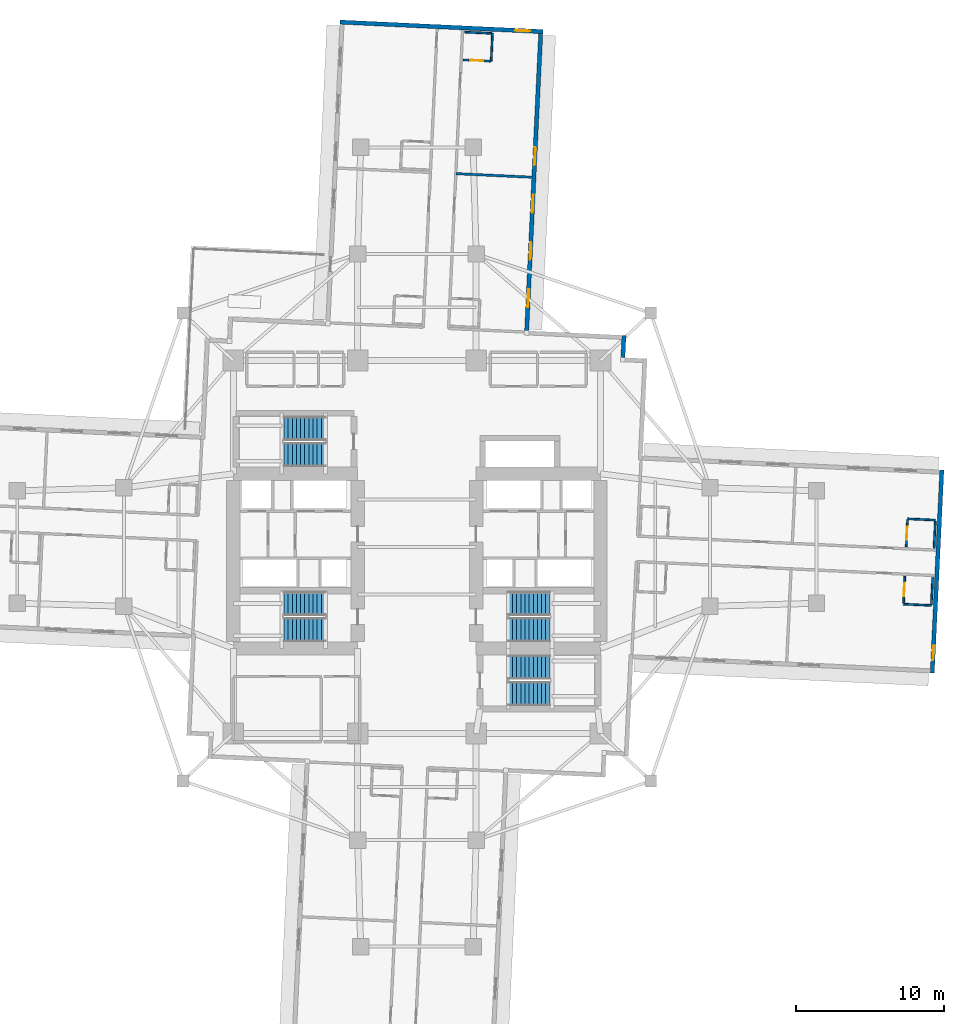
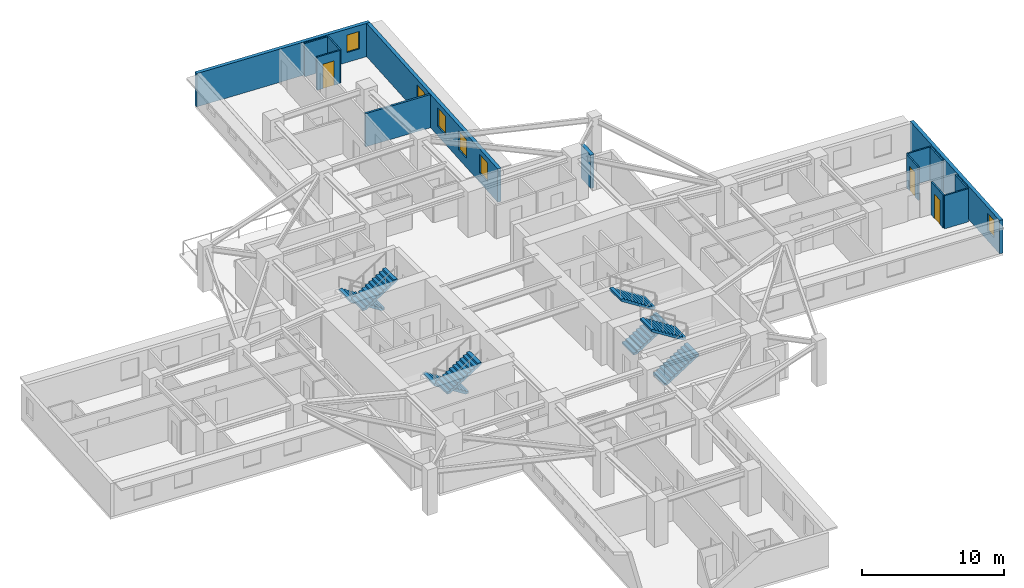
# One storey, part 8 of 13: 14 walls, 8 stair flights, 6 windows, 3 doors, 9 openings, 4 elements without a shape of their own.
"""IFC4 building model written with IfcOpenShell, lengths in metres."""

from ifc_helpers import new_model, si_unit, direction, frame, frame_2d, origin, place, context, subcontext, project, spatial, polyline, rectangle, outline, extrude, material, layer, layer_set, type_object, element, fill, aggregate, save


model = new_model("IFC4")

# Units and contexts
model_context = context("Model", 3, precision=1e-05, world=origin(), true_north=direction((0.0, 1.0)))
body_context = subcontext(model_context, "Body", "Model", "MODEL_VIEW")
ifc_project = project(units=[si_unit("LENGTHUNIT", "METRE"), si_unit("AREAUNIT", "SQUARE_METRE"), si_unit("VOLUMEUNIT", "CUBIC_METRE"), si_unit("PLANEANGLEUNIT", "RADIAN"), si_unit("MASSUNIT", "GRAM", prefix="KILO")], contexts=[model_context])

# Site, building, storey
site_placement = place(None, origin())
site = spatial("IfcSite", under=ifc_project, at=site_placement, CompositionType="ELEMENT")
building_placement = place(site_placement, origin())
building = spatial("IfcBuilding", under=site, at=building_placement, Name="Qingluan Cross Belvedere", CompositionType="ELEMENT")
storey_placement = place(building_placement, frame((0.0, 0.0, 91.199951171875)))
storey = spatial("IfcBuildingStorey", under=building, at=storey_placement, Name="L23", CompositionType="ELEMENT", Elevation=91.199951171875)

# Wall
ifc_material_1 = material(Name="Gypsum plasterboard on steel stud acoustic partition", Category="steel")
ifc_layer_1 = layer(ifc_material_1, 0.159912109375, Name="CorridorPartition_160")
ifc_layer_set_1 = layer_set([ifc_layer_1], Name="Gypsum plasterboard on steel stud acoustic partition")
wall_type_1 = type_object("IfcWallType", Name="CorridorPartition_160", PredefinedType="PARTITIONING", material=ifc_layer_set_1)
wall_1_placement = place(storey_placement, frame((2.631103515625, 25.22412109375, 0.0), z_axis=(0.0, 0.0, 1.0), x_axis=(0.998890307811, -0.047097271264, 0.0)))
element("IfcWall", 1, at=wall_1_placement, inside=storey, type_object=wall_type_1, Name="Partition L23:N:d0_0", PredefinedType="PARTITIONING", context=body_context, shape_type="SweptSolid", body=[
    extrude(rectangle(XDim=5.1318359375, YDim=0.159912109375, at=frame_2d((2.56591796875, 0.0))), origin(), (0.0, 0.0, 1.0), 2.85009765625),
])

# Wall, opening, door
ifc_material_2 = material(Name="Moisture-resistant gypsum board lining")
ifc_layer_2 = layer(ifc_material_2, 0.1201171875, Name="EnsuiteWetPartition_120")
ifc_layer_set_2 = layer_set([ifc_layer_2], Name="Moisture-resistant gypsum board lining")
wall_type_2 = type_object("IfcWallType", Name="EnsuiteWetPartition_120", PredefinedType="PARTITIONING", material=ifc_layer_set_2)
wall_2_placement = place(storey_placement, frame((33.057861328125, 0.022705078125, 0.0), z_axis=(0.0, 0.0, 1.0), x_axis=(0.047080807099, 0.998891083954, 0.0)))
wall_2 = element("IfcWall", 2, at=wall_2_placement, inside=storey, type_object=wall_type_2, Name="Partition L23:E:bs0_1", PredefinedType="PARTITIONING", context=body_context, shape_type="SweptSolid", body=[
    extrude(rectangle(XDim=1.820068359375, YDim=0.1201171875, at=frame_2d((0.91015625, 0.0))), origin(), (0.0, 0.0, 1.0), 2.85009765625),
])
opening_1_placement = place(wall_2_placement, frame((0.469970703125, 0.0, 0.0)))
opening_1 = element("IfcOpeningElement", 3, at=opening_1_placement, cuts=wall_2, Name="Opening BD-09", PredefinedType="OPENING", context=body_context, shape_type="SweptSolid", body=[
    extrude(rectangle(XDim=0.8798828125, YDim=2.10009765625, at=frame_2d((0.43994140625, 1.050048828125))), frame((0.0, 0.070068359375, 0.0), z_axis=(0.0, -1.0, 0.0), x_axis=(1.0, 0.0, 0.0)), (0.0, 0.0, 1.0), 0.14013671875),
])
ifc_material_3 = material(Name="Moisture-sealed timber en-suite door", Category="wood")
door_type = type_object("IfcDoorType", Name="BathroomDoor_880", OperationType="NOTDEFINED", PredefinedType="DOOR", material=ifc_material_3)
door_1_placement = place(opening_1_placement, origin())
door_1 = element("IfcDoor", 4, at=door_1_placement, inside=storey, type_object=door_type, Name="Bathroom door 2302", OperationType="SINGLE_SWING_RIGHT", OverallHeight=2.10009765625, OverallWidth=0.8798828125, PredefinedType="DOOR", context=body_context, shape_type="SweptSolid", body=[
    extrude(rectangle(XDim=0.8798828125, YDim=2.10009765625, at=frame_2d((0.43994140625, 1.050048828125))), frame((0.0, 0.02490234375, 0.0), z_axis=(0.0, -1.0, 0.0), x_axis=(1.0, 0.0, 0.0)), (0.0, 0.0, 1.0), 0.050048828125),
])
fill(opening_1, door_1)

# Walls
wall_3_placement = place(storey_placement, frame((34.935791015625, -0.06591796875, 0.0), z_axis=(0.0, 0.0, 1.0), x_axis=(0.047080807099, 0.998891083954, 0.0)))
element("IfcWall", 5, at=wall_3_placement, inside=storey, type_object=wall_type_2, Name="Partition L23:E:bw0_1", PredefinedType="PARTITIONING", context=body_context, shape_type="SweptSolid", body=[
    extrude(rectangle(XDim=1.820068359375, YDim=0.1201171875, at=frame_2d((0.91015625, 0.0))), origin(), (0.0, 0.0, 1.0), 2.85009765625),
])
wall_4_placement = place(storey_placement, frame((33.146484375, 1.90576171875, 0.0), z_axis=(0.0, 0.0, 1.0), x_axis=(0.998888319371, -0.047139425368, 0.0)))
element("IfcWall", 6, at=wall_4_placement, inside=storey, type_object=wall_type_2, Name="Partition L23:E:bn0_1", PredefinedType="PARTITIONING", context=body_context, shape_type="SweptSolid", body=[
    extrude(rectangle(XDim=1.880126953125, YDim=0.1201171875, at=frame_2d((0.93994140625, 0.0))), origin(), (0.0, 0.0, 1.0), 2.85009765625),
])

# Wall, opening, door
wall_5_placement = place(storey_placement, frame((32.877685546875, -3.79296875, 0.0), z_axis=(0.0, 0.0, 1.0), x_axis=(0.047220968666, 0.998884467853, 0.0)))
wall_5 = element("IfcWall", 7, at=wall_5_placement, inside=storey, type_object=wall_type_2, Name="Partition L23:E:bs1_1", PredefinedType="PARTITIONING", context=body_context, shape_type="SweptSolid", body=[
    extrude(rectangle(XDim=1.81982421875, YDim=0.1201171875, at=frame_2d((0.909912109375, 0.0))), origin(), (0.0, 0.0, 1.0), 2.85009765625),
])
opening_2_placement = place(wall_5_placement, frame((0.469970703125, 0.0, 0.0)))
opening_2 = element("IfcOpeningElement", 8, at=opening_2_placement, cuts=wall_5, Name="Opening BD-09", PredefinedType="OPENING", context=body_context, shape_type="SweptSolid", body=[
    extrude(rectangle(XDim=0.8798828125, YDim=2.10009765625, at=frame_2d((0.43994140625, 1.050048828125))), frame((0.0, 0.070068359375, 0.0), z_axis=(0.0, -1.0, 0.0), x_axis=(1.0, 0.0, 0.0)), (0.0, 0.0, 1.0), 0.14013671875),
])
door_2_placement = place(opening_2_placement, origin())
door_2 = element("IfcDoor", 9, at=door_2_placement, inside=storey, type_object=door_type, Name="Bathroom door 2304", OperationType="SINGLE_SWING_RIGHT", OverallHeight=2.10009765625, OverallWidth=0.8798828125, PredefinedType="DOOR", context=body_context, shape_type="SweptSolid", body=[
    extrude(rectangle(XDim=0.8798828125, YDim=2.10009765625, at=frame_2d((0.43994140625, 1.050048828125))), frame((0.0, 0.02490234375, 0.0), z_axis=(0.0, -1.0, 0.0), x_axis=(1.0, 0.0, 0.0)), (0.0, 0.0, 1.0), 0.050048828125),
])
fill(opening_2, door_2)

# Walls
wall_6_placement = place(storey_placement, frame((34.755615234375, -3.881591796875, 0.0), z_axis=(0.0, 0.0, 1.0), x_axis=(0.047214641863, 0.998884766924, 0.0)))
element("IfcWall", 10, at=wall_6_placement, inside=storey, type_object=wall_type_2, Name="Partition L23:E:bw1_1", PredefinedType="PARTITIONING", context=body_context, shape_type="SweptSolid", body=[
    extrude(rectangle(XDim=1.820068359375, YDim=0.1201171875, at=frame_2d((0.91015625, 0.0))), origin(), (0.0, 0.0, 1.0), 2.85009765625),
])
wall_7_placement = place(storey_placement, frame((32.874755859375, -3.85791015625, 0.0), z_axis=(0.0, 0.0, 1.0), x_axis=(0.998888319371, -0.047139425368, 0.0)))
element("IfcWall", 11, at=wall_7_placement, inside=storey, type_object=wall_type_2, Name="Partition L23:E:bc1_1", PredefinedType="PARTITIONING", context=body_context, shape_type="SweptSolid", body=[
    extrude(rectangle(XDim=1.880126953125, YDim=0.1201171875, at=frame_2d((0.93994140625, 0.0))), origin(), (0.0, 0.0, 1.0), 2.85009765625),
])

# Wall, opening, door
wall_8_placement = place(storey_placement, frame((3.1337890625, 32.908935546875, 0.0), z_axis=(0.0, 0.0, 1.0), x_axis=(0.998890786574, -0.047087116047, 0.0)))
wall_8 = element("IfcWall", 12, at=wall_8_placement, inside=storey, type_object=wall_type_2, Name="Partition L23:N:bs0_1", PredefinedType="PARTITIONING", context=body_context, shape_type="SweptSolid", body=[
    extrude(rectangle(XDim=1.81982421875, YDim=0.1201171875, at=frame_2d((0.909912109375, 0.0))), origin(), (0.0, 0.0, 1.0), 2.85009765625),
])
opening_3_placement = place(wall_8_placement, frame((0.469970703125, 0.0, 0.0)))
opening_3 = element("IfcOpeningElement", 13, at=opening_3_placement, cuts=wall_8, Name="Opening BD-09", PredefinedType="OPENING", context=body_context, shape_type="SweptSolid", body=[
    extrude(rectangle(XDim=0.8798828125, YDim=2.10009765625, at=frame_2d((0.43994140625, 1.050048828125))), frame((0.0, 0.070068359375, 0.0), z_axis=(0.0, -1.0, 0.0), x_axis=(1.0, 0.0, 0.0)), (0.0, 0.0, 1.0), 0.14013671875),
])
door_3_placement = place(opening_3_placement, origin())
door_3 = element("IfcDoor", 14, at=door_3_placement, inside=storey, type_object=door_type, Name="Bathroom door 2310", OperationType="SINGLE_SWING_RIGHT", OverallHeight=2.10009765625, OverallWidth=0.8798828125, PredefinedType="DOOR", context=body_context, shape_type="SweptSolid", body=[
    extrude(rectangle(XDim=0.8798828125, YDim=2.10009765625, at=frame_2d((0.43994140625, 1.050048828125))), frame((0.0, 0.02490234375, 0.0), z_axis=(0.0, -1.0, 0.0), x_axis=(1.0, 0.0, 0.0)), (0.0, 0.0, 1.0), 0.050048828125),
])
fill(opening_3, door_3)

# Walls
wall_9_placement = place(storey_placement, frame((3.222412109375, 34.786865234375, 0.0), z_axis=(0.0, 0.0, 1.0), x_axis=(0.998890786574, -0.047087116047, 0.0)))
element("IfcWall", 15, at=wall_9_placement, inside=storey, type_object=wall_type_2, Name="Partition L23:N:bw0_1", PredefinedType="PARTITIONING", context=body_context, shape_type="SweptSolid", body=[
    extrude(rectangle(XDim=1.81982421875, YDim=0.1201171875, at=frame_2d((0.909912109375, 0.0))), origin(), (0.0, 0.0, 1.0), 2.85009765625),
])
wall_10_placement = place(storey_placement, frame((5.0166015625, 32.820068359375, 0.0), z_axis=(0.0, 0.0, 1.0), x_axis=(0.047139425368, 0.998888319371, 0.0)))
element("IfcWall", 16, at=wall_10_placement, inside=storey, type_object=wall_type_2, Name="Partition L23:N:bn0_1", PredefinedType="PARTITIONING", context=body_context, shape_type="SweptSolid", body=[
    extrude(rectangle(XDim=1.880126953125, YDim=0.1201171875, at=frame_2d((0.93994140625, 0.0))), origin(), (0.0, 0.0, 1.0), 2.85009765625),
])

# Wall, opening, window
ifc_material_4 = material(Name="Precast concrete C45", Category="concrete")
ifc_layer_3 = layer(ifc_material_4, 0.280029296875, Name="PrecastFacadeWall_280")
ifc_layer_set_3 = layer_set([ifc_layer_3], Name="Precast concrete C45")
wall_type_3 = type_object("IfcWallType", Name="PrecastFacadeWall_280", PredefinedType="STANDARD", material=ifc_layer_set_3)
wall_11_placement = place(storey_placement, frame((34.81787109375, -8.509521484375, 0.0), z_axis=(0.0, 0.0, 1.0), x_axis=(0.047101845086, 0.998890092147, 0.0)))
wall_11 = element("IfcWall", 17, at=wall_11_placement, inside=storey, type_object=wall_type_3, Name="Arm tip precast facade wall L23-E", PredefinedType="STANDARD", context=body_context, shape_type="SweptSolid", body=[
    extrude(rectangle(XDim=13.719970703125, YDim=0.280029296875, at=frame_2d((6.85986328125, 0.0))), origin(), (0.0, 0.0, 1.0), 2.860107421875),
])
opening_4_placement = place(wall_11_placement, frame((0.85009765625, 0.0, 0.85009765625)))
opening_4 = element("IfcOpeningElement", 18, at=opening_4_placement, cuts=wall_11, Name="Opening W-03", PredefinedType="OPENING", context=body_context, shape_type="SweptSolid", body=[
    extrude(rectangle(XDim=1.0, YDim=1.5, at=frame_2d((0.5, 0.75))), frame((0.0, 0.14990234375, 0.0), z_axis=(0.0, -1.0, 0.0), x_axis=(1.0, 0.0, 0.0)), (0.0, 0.0, 1.0), 0.300048828125),
])
ifc_material_5 = material(Name="Thermally broken triple Low-E glass in aluminium frame", Category="aluminium")
window_type_1 = type_object("IfcWindowType", Name="TriApexWin_1000x1500", PartitioningType="SINGLE_PANEL", PredefinedType="WINDOW", material=ifc_material_5)
window_1_placement = place(opening_4_placement, origin())
window_1 = element("IfcWindow", 19, at=window_1_placement, inside=storey, type_object=window_type_1, Name="Arm tip triangular window L23-E", OverallHeight=1.5, OverallWidth=1.0, PartitioningType="SINGLE_PANEL", PredefinedType="WINDOW", context=body_context, shape_type="SweptSolid", body=[
    extrude(rectangle(XDim=1.0, YDim=1.5, at=frame_2d((0.5, 0.75))), frame((0.0, 0.030029296875, 0.0), z_axis=(0.0, -1.0, 0.0), x_axis=(1.0, 0.0, 0.0)), (0.0, 0.0, 1.0), 0.06005859375),
])
fill(opening_4, window_1)

# Wall, openings, windows
wall_12_placement = place(storey_placement, frame((7.416259765625, 14.60693359375, 0.0), z_axis=(0.0, 0.0, 1.0), x_axis=(0.047103473814, 0.998890015344, 0.0)))
wall_12 = element("IfcWall", 20, at=wall_12_placement, inside=storey, type_object=wall_type_3, Name="Facade wall L23-NA", PredefinedType="STANDARD", context=body_context, shape_type="SweptSolid", body=[
    extrude(rectangle(XDim=20.099853515625, YDim=0.280029296875, at=frame_2d((10.0498046875, 0.0))), origin(), (0.0, 0.0, 1.0), 2.860107421875),
])
opening_5_placement = place(wall_12_placement, frame((1.60009765625, 0.0, 0.800048828125)))
opening_5 = element("IfcOpeningElement", 21, at=opening_5_placement, cuts=wall_12, Name="Opening W-02", PredefinedType="OPENING", context=body_context, shape_type="SweptSolid", body=[
    extrude(rectangle(XDim=1.199951171875, YDim=1.60009765625, at=frame_2d((0.60009765625, 0.800048828125))), frame((0.0, 0.14990234375, 0.0), z_axis=(0.0, -1.0, 0.0), x_axis=(1.0, 0.0, 0.0)), (0.0, 0.0, 1.0), 0.300048828125),
])
opening_6_placement = place(wall_12_placement, frame((4.800048828125, 0.0, 0.800048828125)))
opening_6 = element("IfcOpeningElement", 22, at=opening_6_placement, cuts=wall_12, Name="Opening W-02", PredefinedType="OPENING", context=body_context, shape_type="SweptSolid", body=[
    extrude(rectangle(XDim=1.199951171875, YDim=1.60009765625, at=frame_2d((0.60009765625, 0.800048828125))), frame((0.0, 0.14990234375, 0.0), z_axis=(0.0, -1.0, 0.0), x_axis=(1.0, 0.0, 0.0)), (0.0, 0.0, 1.0), 0.300048828125),
])
opening_7_placement = place(wall_12_placement, frame((8.0, 0.0, 0.800048828125)))
opening_7 = element("IfcOpeningElement", 23, at=opening_7_placement, cuts=wall_12, Name="Opening W-02", PredefinedType="OPENING", context=body_context, shape_type="SweptSolid", body=[
    extrude(rectangle(XDim=1.199951171875, YDim=1.60009765625, at=frame_2d((0.60009765625, 0.800048828125))), frame((0.0, 0.14990234375, 0.0), z_axis=(0.0, -1.0, 0.0), x_axis=(1.0, 0.0, 0.0)), (0.0, 0.0, 1.0), 0.300048828125),
])
opening_8_placement = place(wall_12_placement, frame((11.199951171875, 0.0, 0.800048828125)))
opening_8 = element("IfcOpeningElement", 24, at=opening_8_placement, cuts=wall_12, Name="Opening W-02", PredefinedType="OPENING", context=body_context, shape_type="SweptSolid", body=[
    extrude(rectangle(XDim=1.199951171875, YDim=1.60009765625, at=frame_2d((0.60009765625, 0.800048828125))), frame((0.0, 0.14990234375, 0.0), z_axis=(0.0, -1.0, 0.0), x_axis=(1.0, 0.0, 0.0)), (0.0, 0.0, 1.0), 0.300048828125),
])
ifc_material_6 = material(Name="Thermally broken triple Low-E glass in aluminium frame", Category="aluminium")
window_type_2 = type_object("IfcWindowType", Name="TriRibbonWin_1200x1600", PartitioningType="SINGLE_PANEL", PredefinedType="WINDOW", material=ifc_material_6)
window_2_placement = place(opening_5_placement, origin())
window_2 = element("IfcWindow", 25, at=window_2_placement, inside=storey, type_object=window_type_2, Name="Ribbon window L23-NA-1", OverallHeight=1.60009765625, OverallWidth=1.199951171875, PartitioningType="SINGLE_PANEL", PredefinedType="WINDOW", context=body_context, shape_type="SweptSolid", body=[
    extrude(rectangle(XDim=1.199951171875, YDim=1.60009765625, at=frame_2d((0.60009765625, 0.800048828125))), frame((0.0, 0.030029296875, 0.0), z_axis=(0.0, -1.0, 0.0), x_axis=(1.0, 0.0, 0.0)), (0.0, 0.0, 1.0), 0.06005859375),
])
fill(opening_5, window_2)
window_3_placement = place(opening_6_placement, origin())
window_3 = element("IfcWindow", 26, at=window_3_placement, inside=storey, type_object=window_type_2, Name="Ribbon window L23-NA-2", OverallHeight=1.60009765625, OverallWidth=1.199951171875, PartitioningType="SINGLE_PANEL", PredefinedType="WINDOW", context=body_context, shape_type="SweptSolid", body=[
    extrude(rectangle(XDim=1.199951171875, YDim=1.60009765625, at=frame_2d((0.60009765625, 0.800048828125))), frame((0.0, 0.030029296875, 0.0), z_axis=(0.0, -1.0, 0.0), x_axis=(1.0, 0.0, 0.0)), (0.0, 0.0, 1.0), 0.06005859375),
])
fill(opening_6, window_3)
window_4_placement = place(opening_7_placement, origin())
window_4 = element("IfcWindow", 27, at=window_4_placement, inside=storey, type_object=window_type_2, Name="Ribbon window L23-NA-3", OverallHeight=1.60009765625, OverallWidth=1.199951171875, PartitioningType="SINGLE_PANEL", PredefinedType="WINDOW", context=body_context, shape_type="SweptSolid", body=[
    extrude(rectangle(XDim=1.199951171875, YDim=1.60009765625, at=frame_2d((0.60009765625, 0.800048828125))), frame((0.0, 0.030029296875, 0.0), z_axis=(0.0, -1.0, 0.0), x_axis=(1.0, 0.0, 0.0)), (0.0, 0.0, 1.0), 0.06005859375),
])
fill(opening_7, window_4)
window_5_placement = place(opening_8_placement, origin())
window_5 = element("IfcWindow", 28, at=window_5_placement, inside=storey, type_object=window_type_2, Name="Ribbon window L23-NA-4", OverallHeight=1.60009765625, OverallWidth=1.199951171875, PartitioningType="SINGLE_PANEL", PredefinedType="WINDOW", context=body_context, shape_type="SweptSolid", body=[
    extrude(rectangle(XDim=1.199951171875, YDim=1.60009765625, at=frame_2d((0.60009765625, 0.800048828125))), frame((0.0, 0.030029296875, 0.0), z_axis=(0.0, -1.0, 0.0), x_axis=(1.0, 0.0, 0.0)), (0.0, 0.0, 1.0), 0.06005859375),
])
fill(opening_8, window_5)

# Wall, opening, window
wall_13_placement = place(storey_placement, frame((8.509521484375, 34.81787109375, 0.0), z_axis=(0.0, 0.0, 1.0), x_axis=(-0.998890092147, 0.047101845086, 0.0)))
wall_13 = element("IfcWall", 29, at=wall_13_placement, inside=storey, type_object=wall_type_3, Name="Arm tip precast facade wall L23-N", PredefinedType="STANDARD", context=body_context, shape_type="SweptSolid", body=[
    extrude(rectangle(XDim=13.719970703125, YDim=0.280029296875, at=frame_2d((6.85986328125, 0.0))), origin(), (0.0, 0.0, 1.0), 2.860107421875),
])
opening_9_placement = place(wall_13_placement, frame((0.85009765625, 0.0, 0.85009765625)))
opening_9 = element("IfcOpeningElement", 30, at=opening_9_placement, cuts=wall_13, Name="Opening W-03", PredefinedType="OPENING", context=body_context, shape_type="SweptSolid", body=[
    extrude(rectangle(XDim=1.0, YDim=1.5, at=frame_2d((0.5, 0.75))), frame((0.0, 0.14990234375, 0.0), z_axis=(0.0, -1.0, 0.0), x_axis=(1.0, 0.0, 0.0)), (0.0, 0.0, 1.0), 0.300048828125),
])
window_6_placement = place(opening_9_placement, origin())
window_6 = element("IfcWindow", 31, at=window_6_placement, inside=storey, type_object=window_type_1, Name="Arm tip triangular window L23-N", OverallHeight=1.5, OverallWidth=1.0, PartitioningType="SINGLE_PANEL", PredefinedType="WINDOW", context=body_context, shape_type="SweptSolid", body=[
    extrude(rectangle(XDim=1.0, YDim=1.5, at=frame_2d((0.5, 0.75))), frame((0.0, 0.030029296875, 0.0), z_axis=(0.0, -1.0, 0.0), x_axis=(1.0, 0.0, 0.0)), (0.0, 0.0, 1.0), 0.06005859375),
])
fill(opening_9, window_6)

# Wall
wall_14_placement = place(storey_placement, frame((13.918212890625, 12.798583984375, 0.0), z_axis=(0.0, 0.0, 1.0), x_axis=(0.047201688113, 0.99888537913, 0.0)))
element("IfcWall", 32, at=wall_14_placement, inside=storey, type_object=wall_type_3, Name="Corner wall L23-NE3", PredefinedType="STANDARD", context=body_context, shape_type="SweptSolid", body=[
    extrude(rectangle(XDim=1.5, YDim=0.280029296875, at=frame_2d((0.75, 0.0))), origin(), (0.0, 0.0, 1.0), 2.860107421875),
])

# Stair, stair flights
ifc_material_7 = material(Name="Concrete C40", Category="concrete")
stair_type = type_object("IfcStairType", Name="CoreDoglegStair_1620", PredefinedType="HALF_TURN_STAIR", material=ifc_material_7)
stair_1_placement = place(storey_placement, origin())
stair_1 = element("IfcStair", 33, at=stair_1_placement, inside=storey, type_object=stair_type, Name="L23 ST1", PredefinedType="HALF_TURN_STAIR")
ifc_material_8 = material(Name="Concrete C40", Category="concrete")
ifc_layer_4 = layer(ifc_material_8, 0.179931640625, Name="StairFlight_RC180")
ifc_layer_set_4 = layer_set([ifc_layer_4], Name="Concrete C40")
stair_flight_type = type_object("IfcStairFlightType", Name="StairFlight_RC180", PredefinedType="STRAIGHT", material=ifc_layer_set_4)
stair_flight_1_placement = place(storey_placement, frame((-6.179931640625, -3.81005859375, 0.0), z_axis=(0.0, 0.0, 1.0), x_axis=(-1.0, 0.0, 0.0)))
stair_flight_1 = element("IfcStairFlight", 34, at=stair_flight_1_placement, type_object=stair_flight_type, Name="ST1 flight 1", NumberOfRisers=11, NumberOfTreads=10, PredefinedType="STRAIGHT", RiserHeight=0.177272727, TreadLength=0.28, context=body_context, shape_type="SweptSolid", body=[
    extrude(outline(polyline([(0.0, 0.0), (0.0, 0.17724609375), (0.280029296875, 0.17724609375), (0.280029296875, 0.3544921875), (0.56005859375, 0.3544921875), (0.56005859375, 0.53173828125), (0.840087890625, 0.53173828125), (0.840087890625, 0.708984375), (1.1201171875, 0.708984375), (1.1201171875, 0.886474609375), (1.39990234375, 0.886474609375), (1.39990234375, 1.063720703125), (1.679931640625, 1.063720703125), (1.679931640625, 1.240966796875), (1.9599609375, 1.240966796875), (1.9599609375, 1.418212890625), (2.239990234375, 1.418212890625), (2.239990234375, 1.595458984375), (2.52001953125, 1.595458984375), (2.52001953125, 1.772705078125), (2.800048828125, 1.772705078125), (2.800048828125, 1.949951171875), (2.800048828125, 1.59521484375), (0.2802734375, 0.0), (0.0, 0.0)])), frame((0.0, 0.81005859375, 0.0), z_axis=(0.0, -1.0, 0.0), x_axis=(1.0, 0.0, 0.0)), (0.0, 0.0, 1.0), 1.6201171875),
])
stair_flight_2_placement = place(storey_placement, frame((-8.97998046875, -5.590087890625, 1.949951171875), z_axis=(0.0, 0.0, 1.0), x_axis=(1.0, 0.0, 0.0)))
stair_flight_2 = element("IfcStairFlight", 35, at=stair_flight_2_placement, type_object=stair_flight_type, Name="ST1 flight 2", NumberOfRisers=11, NumberOfTreads=10, PredefinedType="STRAIGHT", RiserHeight=0.177272727, TreadLength=0.28, context=body_context, shape_type="SweptSolid", body=[
    extrude(outline(polyline([(0.0, 0.0), (0.0, 0.17724609375), (0.280029296875, 0.17724609375), (0.280029296875, 0.3544921875), (0.56005859375, 0.3544921875), (0.56005859375, 0.53173828125), (0.840087890625, 0.53173828125), (0.840087890625, 0.708984375), (1.1201171875, 0.708984375), (1.1201171875, 0.886474609375), (1.39990234375, 0.886474609375), (1.39990234375, 1.063720703125), (1.679931640625, 1.063720703125), (1.679931640625, 1.240966796875), (1.9599609375, 1.240966796875), (1.9599609375, 1.418212890625), (2.239990234375, 1.418212890625), (2.239990234375, 1.595458984375), (2.52001953125, 1.595458984375), (2.52001953125, 1.772705078125), (2.800048828125, 1.772705078125), (2.800048828125, 1.949951171875), (2.800048828125, 1.59521484375), (0.2802734375, 0.0), (0.0, 0.0)])), frame((0.0, 0.81005859375, 0.0), z_axis=(0.0, -1.0, 0.0), x_axis=(1.0, 0.0, 0.0)), (0.0, 0.0, 1.0), 1.6201171875),
])
aggregate(stair_1, [stair_flight_1, stair_flight_2])

stair_2_placement = place(storey_placement, origin())
stair_2 = element("IfcStair", 36, at=stair_2_placement, inside=storey, type_object=stair_type, Name="L23 ST2", PredefinedType="HALF_TURN_STAIR")
stair_flight_3_placement = place(storey_placement, frame((6.179931640625, -5.590087890625, 0.0), z_axis=(0.0, 0.0, 1.0), x_axis=(1.0, 0.0, 0.0)))
stair_flight_3 = element("IfcStairFlight", 37, at=stair_flight_3_placement, type_object=stair_flight_type, Name="ST2 flight 1", NumberOfRisers=11, NumberOfTreads=10, PredefinedType="STRAIGHT", RiserHeight=0.177272727, TreadLength=0.28, context=body_context, shape_type="SweptSolid", body=[
    extrude(outline(polyline([(0.0, 0.0), (0.0, 0.17724609375), (0.280029296875, 0.17724609375), (0.280029296875, 0.3544921875), (0.56005859375, 0.3544921875), (0.56005859375, 0.53173828125), (0.840087890625, 0.53173828125), (0.840087890625, 0.708984375), (1.1201171875, 0.708984375), (1.1201171875, 0.886474609375), (1.39990234375, 0.886474609375), (1.39990234375, 1.063720703125), (1.679931640625, 1.063720703125), (1.679931640625, 1.240966796875), (1.9599609375, 1.240966796875), (1.9599609375, 1.418212890625), (2.239990234375, 1.418212890625), (2.239990234375, 1.595458984375), (2.52001953125, 1.595458984375), (2.52001953125, 1.772705078125), (2.800048828125, 1.772705078125), (2.800048828125, 1.949951171875), (2.800048828125, 1.59521484375), (0.2802734375, 0.0), (0.0, 0.0)])), frame((0.0, 0.81005859375, 0.0), z_axis=(0.0, -1.0, 0.0), x_axis=(1.0, 0.0, 0.0)), (0.0, 0.0, 1.0), 1.6201171875),
])
stair_flight_4_placement = place(storey_placement, frame((8.97998046875, -3.81005859375, 1.949951171875), z_axis=(0.0, 0.0, 1.0), x_axis=(-1.0, 0.0, 0.0)))
stair_flight_4 = element("IfcStairFlight", 38, at=stair_flight_4_placement, type_object=stair_flight_type, Name="ST2 flight 2", NumberOfRisers=11, NumberOfTreads=10, PredefinedType="STRAIGHT", RiserHeight=0.177272727, TreadLength=0.28, context=body_context, shape_type="SweptSolid", body=[
    extrude(outline(polyline([(0.0, 0.0), (0.0, 0.17724609375), (0.280029296875, 0.17724609375), (0.280029296875, 0.3544921875), (0.56005859375, 0.3544921875), (0.56005859375, 0.53173828125), (0.840087890625, 0.53173828125), (0.840087890625, 0.708984375), (1.1201171875, 0.708984375), (1.1201171875, 0.886474609375), (1.39990234375, 0.886474609375), (1.39990234375, 1.063720703125), (1.679931640625, 1.063720703125), (1.679931640625, 1.240966796875), (1.9599609375, 1.240966796875), (1.9599609375, 1.418212890625), (2.239990234375, 1.418212890625), (2.239990234375, 1.595458984375), (2.52001953125, 1.595458984375), (2.52001953125, 1.772705078125), (2.800048828125, 1.772705078125), (2.800048828125, 1.949951171875), (2.800048828125, 1.59521484375), (0.2802734375, 0.0), (0.0, 0.0)])), frame((0.0, 0.81005859375, 0.0), z_axis=(0.0, -1.0, 0.0), x_axis=(1.0, 0.0, 0.0)), (0.0, 0.0, 1.0), 1.6201171875),
])
aggregate(stair_2, [stair_flight_3, stair_flight_4])

stair_3_placement = place(storey_placement, origin())
stair_3 = element("IfcStair", 39, at=stair_3_placement, inside=storey, type_object=stair_type, Name="L23 ST3", PredefinedType="HALF_TURN_STAIR")
stair_flight_5_placement = place(storey_placement, frame((-6.179931640625, 8.010009765625, 0.0), z_axis=(0.0, 0.0, 1.0), x_axis=(-1.0, 0.0, 0.0)))
stair_flight_5 = element("IfcStairFlight", 40, at=stair_flight_5_placement, type_object=stair_flight_type, Name="ST3 flight 1", NumberOfRisers=11, NumberOfTreads=10, PredefinedType="STRAIGHT", RiserHeight=0.177272727, TreadLength=0.28, context=body_context, shape_type="SweptSolid", body=[
    extrude(outline(polyline([(0.0, 0.0), (0.0, 0.17724609375), (0.280029296875, 0.17724609375), (0.280029296875, 0.3544921875), (0.56005859375, 0.3544921875), (0.56005859375, 0.53173828125), (0.840087890625, 0.53173828125), (0.840087890625, 0.708984375), (1.1201171875, 0.708984375), (1.1201171875, 0.886474609375), (1.39990234375, 0.886474609375), (1.39990234375, 1.063720703125), (1.679931640625, 1.063720703125), (1.679931640625, 1.240966796875), (1.9599609375, 1.240966796875), (1.9599609375, 1.418212890625), (2.239990234375, 1.418212890625), (2.239990234375, 1.595458984375), (2.52001953125, 1.595458984375), (2.52001953125, 1.772705078125), (2.800048828125, 1.772705078125), (2.800048828125, 1.949951171875), (2.800048828125, 1.59521484375), (0.2802734375, 0.0), (0.0, 0.0)])), frame((0.0, 0.81005859375, 0.0), z_axis=(0.0, -1.0, 0.0), x_axis=(1.0, 0.0, 0.0)), (0.0, 0.0, 1.0), 1.6201171875),
])
stair_flight_6_placement = place(storey_placement, frame((-8.97998046875, 6.22998046875, 1.949951171875), z_axis=(0.0, 0.0, 1.0), x_axis=(1.0, 0.0, 0.0)))
stair_flight_6 = element("IfcStairFlight", 41, at=stair_flight_6_placement, type_object=stair_flight_type, Name="ST3 flight 2", NumberOfRisers=11, NumberOfTreads=10, PredefinedType="STRAIGHT", RiserHeight=0.177272727, TreadLength=0.28, context=body_context, shape_type="SweptSolid", body=[
    extrude(outline(polyline([(0.0, 0.0), (0.0, 0.17724609375), (0.280029296875, 0.17724609375), (0.280029296875, 0.3544921875), (0.56005859375, 0.3544921875), (0.56005859375, 0.53173828125), (0.840087890625, 0.53173828125), (0.840087890625, 0.708984375), (1.1201171875, 0.708984375), (1.1201171875, 0.886474609375), (1.39990234375, 0.886474609375), (1.39990234375, 1.063720703125), (1.679931640625, 1.063720703125), (1.679931640625, 1.240966796875), (1.9599609375, 1.240966796875), (1.9599609375, 1.418212890625), (2.239990234375, 1.418212890625), (2.239990234375, 1.595458984375), (2.52001953125, 1.595458984375), (2.52001953125, 1.772705078125), (2.800048828125, 1.772705078125), (2.800048828125, 1.949951171875), (2.800048828125, 1.59521484375), (0.2802734375, 0.0), (0.0, 0.0)])), frame((0.0, 0.81005859375, 0.0), z_axis=(0.0, -1.0, 0.0), x_axis=(1.0, 0.0, 0.0)), (0.0, 0.0, 1.0), 1.6201171875),
])
aggregate(stair_3, [stair_flight_5, stair_flight_6])

stair_4_placement = place(storey_placement, origin())
stair_4 = element("IfcStair", 42, at=stair_4_placement, inside=storey, type_object=stair_type, Name="L23 ST4", PredefinedType="HALF_TURN_STAIR")
stair_flight_7_placement = place(storey_placement, frame((6.179931640625, -9.909912109375, 0.0), z_axis=(0.0, 0.0, 1.0), x_axis=(1.0, 0.0, 0.0)))
stair_flight_7 = element("IfcStairFlight", 43, at=stair_flight_7_placement, type_object=stair_flight_type, Name="ST4 flight 1", NumberOfRisers=11, NumberOfTreads=10, PredefinedType="STRAIGHT", RiserHeight=0.177272727, TreadLength=0.28, context=body_context, shape_type="SweptSolid", body=[
    extrude(outline(polyline([(0.0, 0.0), (0.0, 0.17724609375), (0.280029296875, 0.17724609375), (0.280029296875, 0.3544921875), (0.56005859375, 0.3544921875), (0.56005859375, 0.53173828125), (0.840087890625, 0.53173828125), (0.840087890625, 0.708984375), (1.1201171875, 0.708984375), (1.1201171875, 0.886474609375), (1.39990234375, 0.886474609375), (1.39990234375, 1.063720703125), (1.679931640625, 1.063720703125), (1.679931640625, 1.240966796875), (1.9599609375, 1.240966796875), (1.9599609375, 1.418212890625), (2.239990234375, 1.418212890625), (2.239990234375, 1.595458984375), (2.52001953125, 1.595458984375), (2.52001953125, 1.772705078125), (2.800048828125, 1.772705078125), (2.800048828125, 1.949951171875), (2.800048828125, 1.59521484375), (0.2802734375, 0.0), (0.0, 0.0)])), frame((0.0, 0.81005859375, 0.0), z_axis=(0.0, -1.0, 0.0), x_axis=(1.0, 0.0, 0.0)), (0.0, 0.0, 1.0), 1.6201171875),
])
stair_flight_8_placement = place(storey_placement, frame((8.97998046875, -8.1298828125, 1.949951171875), z_axis=(0.0, 0.0, 1.0), x_axis=(-1.0, 0.0, 0.0)))
stair_flight_8 = element("IfcStairFlight", 44, at=stair_flight_8_placement, type_object=stair_flight_type, Name="ST4 flight 2", NumberOfRisers=11, NumberOfTreads=10, PredefinedType="STRAIGHT", RiserHeight=0.177272727, TreadLength=0.28, context=body_context, shape_type="SweptSolid", body=[
    extrude(outline(polyline([(0.0, 0.0), (0.0, 0.17724609375), (0.280029296875, 0.17724609375), (0.280029296875, 0.3544921875), (0.56005859375, 0.3544921875), (0.56005859375, 0.53173828125), (0.840087890625, 0.53173828125), (0.840087890625, 0.708984375), (1.1201171875, 0.708984375), (1.1201171875, 0.886474609375), (1.39990234375, 0.886474609375), (1.39990234375, 1.063720703125), (1.679931640625, 1.063720703125), (1.679931640625, 1.240966796875), (1.9599609375, 1.240966796875), (1.9599609375, 1.418212890625), (2.239990234375, 1.418212890625), (2.239990234375, 1.595458984375), (2.52001953125, 1.595458984375), (2.52001953125, 1.772705078125), (2.800048828125, 1.772705078125), (2.800048828125, 1.949951171875), (2.800048828125, 1.59521484375), (0.2802734375, 0.0), (0.0, 0.0)])), frame((0.0, 0.81005859375, 0.0), z_axis=(0.0, -1.0, 0.0), x_axis=(1.0, 0.0, 0.0)), (0.0, 0.0, 1.0), 1.6201171875),
])
aggregate(stair_4, [stair_flight_7, stair_flight_8])

save(model, "model.ifc")
